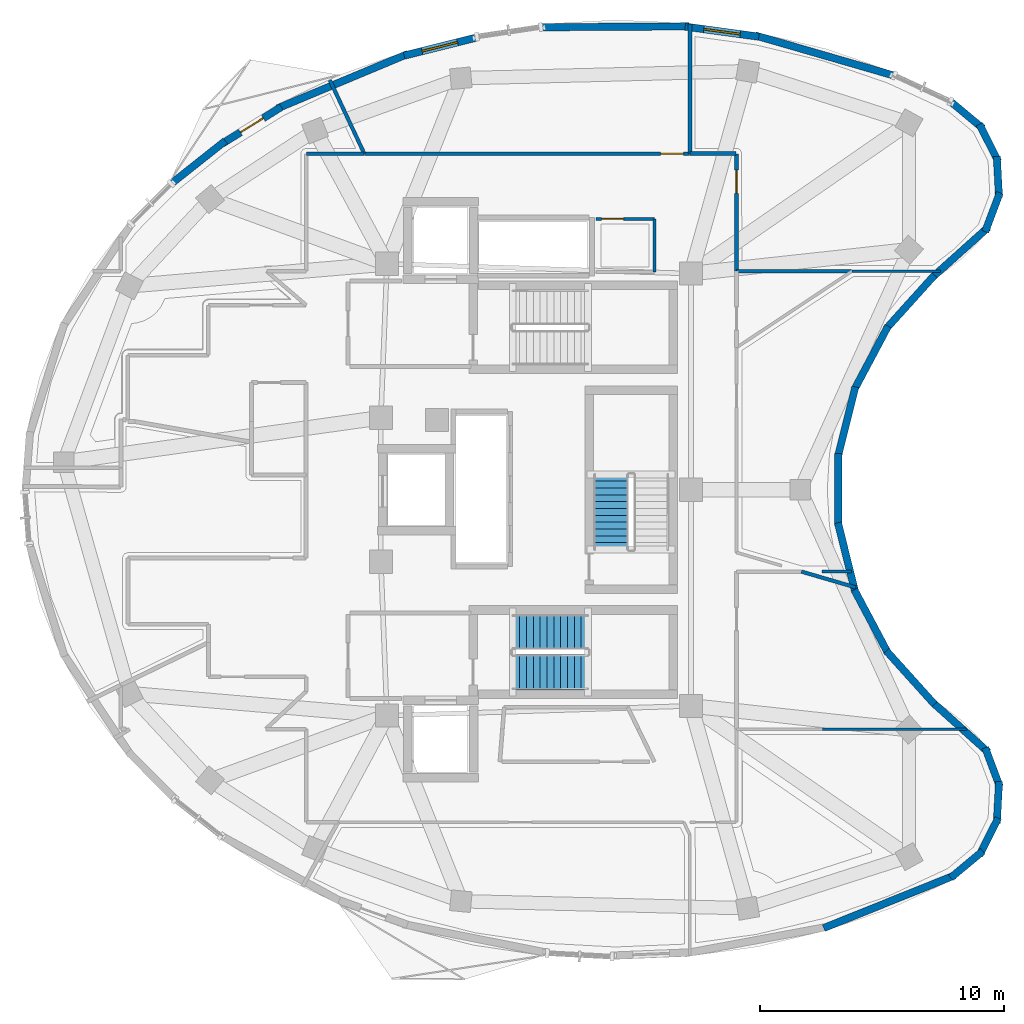
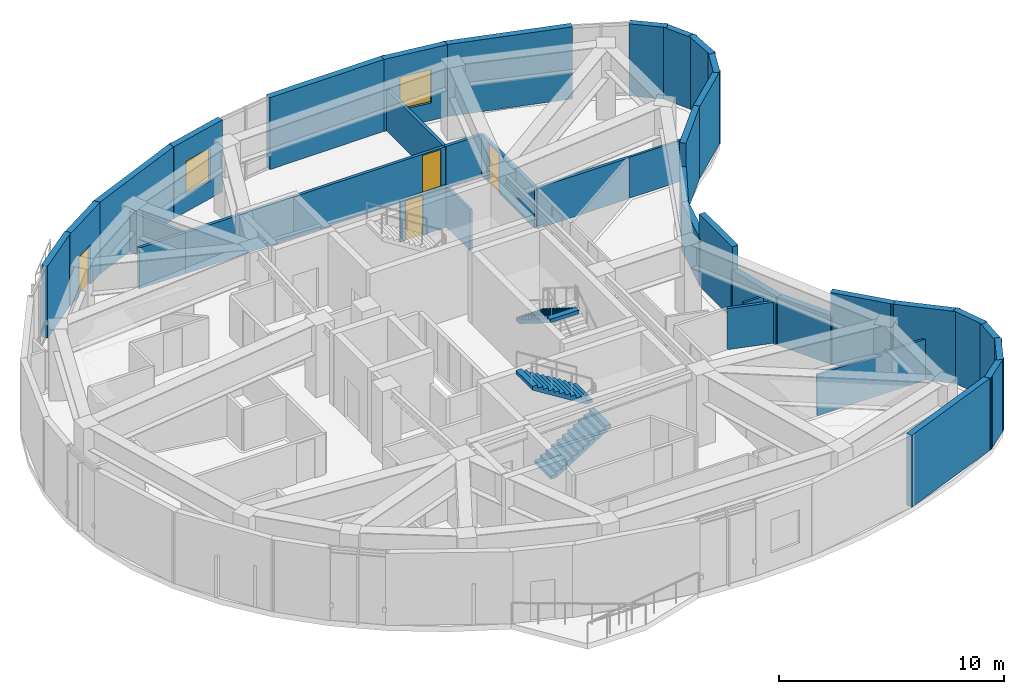
# One storey, part 8 of 12: 38 walls, 4 doors, 3 stair flights, 2 windows, 6 openings, 2 elements without a shape of their own.
"""IFC4 building model written with IfcOpenShell, lengths in metres."""

import ifcopenshell
import ifcopenshell.guid

model = None  # the IFC model being written
_history = None  # IfcOwnerHistory: only IFC2X3 demands one
_inside = {}  # id of a spatial element -> (the spatial element, [elements in it])
_under = {}  # id of a project, library or spatial element -> (it, [spatial elements below it])
_declared = {}  # id of a project -> (the project, [libraries it declares])
_typed = {}  # id of a type object -> (the type object, [elements of that type])
_made_of = {}  # id of a material, layer set ... -> (it, [elements and type objects made of it])


def new_model(schema):
    """Start an empty IFC model of exactly this schema.

    Asked for "IFC4X3", IfcOpenShell would pick the latest addendum, in which some entities
    have other attributes; the version numbers below select the first issue.
    IFC2X3 requires an IfcOwnerHistory on every rooted entity: one is made here for all.
    """
    global model, _history
    if schema == "IFC4X3":
        model = ifcopenshell.file(schema_version=(4, 3, 0, 0))
    else:
        model = ifcopenshell.file(schema=schema)
    _inside.clear()
    _under.clear()
    _declared.clear()
    _typed.clear()
    _made_of.clear()
    _history = None
    if model.schema == "IFC2X3":
        org = make("IfcOrganization", Name="unknown")
        user = make(
            "IfcPersonAndOrganization",
            ThePerson=make("IfcPerson", FamilyName="unknown"),
            TheOrganization=org,
        )
        app = make(
            "IfcApplication",
            ApplicationDeveloper=org,
            Version="unknown",
            ApplicationFullName="unknown",
            ApplicationIdentifier="unknown",
        )
        _history = make(
            "IfcOwnerHistory",
            OwningUser=user,
            OwningApplication=app,
            ChangeAction="ADDED",
            CreationDate=0,
        )
    return model


def make(cls, **values):
    """One entity of the class cls with the attributes given. An attribute that is None is left unset."""
    return model.create_entity(
        cls, **{name: value for name, value in values.items() if value is not None}
    )


def rooted(cls, **values):
    """An entity with a GlobalId (a new one), such as an element, a storey or a relation."""
    return make(cls, GlobalId=ifcopenshell.guid.new(), OwnerHistory=_history, **values)


def si_unit(unit_type, name, prefix=None):
    """IfcSIUnit, for example si_unit("LENGTHUNIT", "METRE", prefix="MILLI")."""
    return make("IfcSIUnit", UnitType=unit_type, Prefix=prefix, Name=name)


def assignment(units):
    """IfcUnitAssignment: the units of a project."""
    return None if units is None else make("IfcUnitAssignment", Units=units)


def point(xyz):
    """IfcCartesianPoint."""
    return None if xyz is None else make("IfcCartesianPoint", Coordinates=xyz)


def direction(xyz):
    """IfcDirection."""
    return None if xyz is None else make("IfcDirection", DirectionRatios=xyz)


def frame(location, z_axis=None, x_axis=None):
    """IfcAxis2Placement3D, a coordinate frame: its origin and axes. An axis left out is left unset."""
    return make(
        "IfcAxis2Placement3D",
        Location=point(location),
        Axis=direction(z_axis),
        RefDirection=direction(x_axis),
    )


def frame_2d(location, x_axis=None):
    """IfcAxis2Placement2D, a coordinate frame in the plane: its origin and x axis."""
    return make(
        "IfcAxis2Placement2D", Location=point(location), RefDirection=direction(x_axis)
    )


def origin():
    """The frame at (0, 0, 0) with its axes left unset."""
    return frame((0.0, 0.0, 0.0))


def place(relative_to, where):
    """IfcLocalPlacement: puts the frame where relative to a parent placement (None: the world)."""
    return make(
        "IfcLocalPlacement", PlacementRelTo=relative_to, RelativePlacement=where
    )


def context(
    kind, dimensions, precision=None, world=None, true_north=None, identifier=None
):
    """IfcGeometricRepresentationContext, for example the 3D "Model" context."""
    return make(
        "IfcGeometricRepresentationContext",
        ContextIdentifier=identifier,
        ContextType=kind,
        CoordinateSpaceDimension=dimensions,
        Precision=precision,
        WorldCoordinateSystem=world,
        TrueNorth=true_north,
    )


def subcontext(parent, identifier, kind, view, scale=None):
    """IfcGeometricRepresentationSubContext, for example "Body" below "Model"."""
    return make(
        "IfcGeometricRepresentationSubContext",
        ContextIdentifier=identifier,
        ContextType=kind,
        ParentContext=parent,
        TargetScale=scale,
        TargetView=view,
    )


def project(units=None, contexts=None):
    """IfcProject with its units and contexts."""
    return rooted(
        "IfcProject",
        Name="project",
        RepresentationContexts=contexts,
        UnitsInContext=assignment(units),
    )


def spatial(cls, under=None, at=None, **own):
    """A site, building, storey or space (cls), placed at a placement, below another one or the project."""
    s = rooted(cls, ObjectPlacement=at, **own)
    if under is not None:
        _under.setdefault(under.id(), (under, []))[1].append(s)
    return s


def polyline(points):
    """IfcPolyline through the points."""
    return make("IfcPolyline", Points=[point(p) for p in points])


def profile(cls, at=None, kind="AREA", **sizes):
    """A parametric profile (cls). Its sizes go by their IFC names, for example OverallWidth=200.0."""
    return make(cls, ProfileType=kind, Position=at, **sizes)


def rectangle(**sizes):
    """IfcRectangleProfileDef."""
    return profile("IfcRectangleProfileDef", **sizes)


def outline(outer, holes=None, kind="AREA"):
    """IfcArbitraryClosedProfileDef: a profile drawn as a closed curve; with holes, ...WithVoids."""
    if holes is None:
        return make("IfcArbitraryClosedProfileDef", ProfileType=kind, OuterCurve=outer)
    return make(
        "IfcArbitraryProfileDefWithVoids",
        ProfileType=kind,
        OuterCurve=outer,
        InnerCurves=holes,
    )


def extrude(swept, where, along, depth):
    """IfcExtrudedAreaSolid: the profile swept, set in the frame where, extruded along a direction by depth."""
    return make(
        "IfcExtrudedAreaSolid",
        SweptArea=swept,
        Position=where,
        ExtrudedDirection=direction(along),
        Depth=depth,
    )


def shape(context_of_items, identifier, shape_type, items):
    """IfcShapeRepresentation: the items that make up one representation, for example the "Body"."""
    return make(
        "IfcShapeRepresentation",
        ContextOfItems=context_of_items,
        RepresentationIdentifier=identifier,
        RepresentationType=shape_type,
        Items=items,
    )


def material(Name=None, Category=None):
    """IfcMaterial."""
    return make("IfcMaterial", Name=Name, Category=Category)


def layer(
    of_material, thickness, ventilated=None, Name=None, Category=None, Priority=None
):
    """IfcMaterialLayer: one layer of a wall or slab, of a material (None: an air gap)."""
    return make(
        "IfcMaterialLayer",
        Material=of_material,
        LayerThickness=thickness,
        IsVentilated=ventilated,
        Name=Name,
        Category=Category,
        Priority=Priority,
    )


def layer_set(layers, Name=None):
    """IfcMaterialLayerSet."""
    return make("IfcMaterialLayerSet", MaterialLayers=layers, LayerSetName=Name)


def made_of(thing, what):
    """Note that an element or type object is made of a material, layer set ...; save() writes the relation."""
    if what is not None:
        _made_of.setdefault(what.id(), (what, []))[1].append(thing)
    return thing


def type_object(cls, material=None, **own):
    """A type object (cls), such as IfcWallType, which elements share."""
    return made_of(rooted(cls, **own), material)


def element(
    cls,
    number,
    at=None,
    inside=None,
    cuts=None,
    type_object=None,
    material=None,
    context=None,
    identifier="Body",
    shape_type=None,
    held_by="IfcProductDefinitionShape",
    body=None,
    shapes=None,
    **own,
):
    """One element of the class cls, such as IfcWall. Its Tag is "e" and its number.

    at: its placement. inside: the storey or other place that contains it. cuts: it is an
    opening in that element (IfcRelVoidsElement). A single representation is given by context,
    identifier, shape_type and body (its items); several are given by shapes. held_by: the class
    of the entity that holds the representations. save() writes the other relations.
    """
    e = rooted(cls, Tag="e%d" % number, ObjectPlacement=at, **own)
    if body is not None:
        shapes = [shape(context, identifier, shape_type, body)]
    if shapes is not None:
        e.Representation = make(held_by, Representations=shapes)
    if inside is not None:
        _inside.setdefault(inside.id(), (inside, []))[1].append(e)
    if cuts is not None:
        rooted(
            "IfcRelVoidsElement", RelatingBuildingElement=cuts, RelatedOpeningElement=e
        )
    if type_object is not None:
        _typed.setdefault(type_object.id(), (type_object, []))[1].append(e)
    return made_of(e, material)


def fill(opening, filler):
    """IfcRelFillsElement: the door or window that sits in an opening."""
    return rooted(
        "IfcRelFillsElement",
        RelatingOpeningElement=opening,
        RelatedBuildingElement=filler,
    )


def aggregate(whole, parts):
    """IfcRelAggregates: a whole, such as a stair, and the parts it consists of."""
    return rooted("IfcRelAggregates", RelatingObject=whole, RelatedObjects=parts)


def save(model, path):
    """Write the relations noted so far, then the file.

    IfcRelAggregates (storeys below a building ...), IfcRelContainedInSpatialStructure (elements
    in a storey), IfcRelDefinesByType, IfcRelAssociatesMaterial and IfcRelDeclares: one each for
    every whole, place, type object, material and project.
    """
    for whole, parts in _under.values():
        aggregate(whole, parts)
    for where, things in _inside.values():
        rooted(
            "IfcRelContainedInSpatialStructure",
            RelatedElements=things,
            RelatingStructure=where,
        )
    for kind, things in _typed.values():
        rooted("IfcRelDefinesByType", RelatedObjects=things, RelatingType=kind)
    for what, things in _made_of.values():
        rooted("IfcRelAssociatesMaterial", RelatedObjects=things, RelatingMaterial=what)
    for by, libraries in _declared.values():
        rooted("IfcRelDeclares", RelatingContext=by, RelatedDefinitions=libraries)
    model.write(path)


model = new_model("IFC4")

# Units and contexts
model_context = context("Model", 3, precision=1e-05, world=origin(), true_north=direction((0.0, 1.0)))
body_context = subcontext(model_context, "Body", "Model", "MODEL_VIEW")
ifc_project = project(units=[si_unit("LENGTHUNIT", "METRE"), si_unit("AREAUNIT", "SQUARE_METRE"), si_unit("VOLUMEUNIT", "CUBIC_METRE"), si_unit("PLANEANGLEUNIT", "RADIAN"), si_unit("MASSUNIT", "GRAM", prefix="KILO")], contexts=[model_context])

# Site, building, storey
site_placement = place(None, origin())
site = spatial("IfcSite", under=ifc_project, at=site_placement, CompositionType="ELEMENT")
building_placement = place(site_placement, origin())
building = spatial("IfcBuilding", under=site, at=building_placement, Name="Korentha Bioscience Tower", CompositionType="ELEMENT")
storey_placement = place(building_placement, frame((0.0, 0.0, 297.60009765625)))
storey = spatial("IfcBuildingStorey", under=building, at=storey_placement, Name="L68", CompositionType="ELEMENT", Elevation=297.60009765625)

# Wall, opening, door
ifc_material_1 = material(Name="Double-Stud Acoustic Gypsum", Category="gypsum")
ifc_layer_1 = layer(ifc_material_1, 0.14990234375, Name="Double-Stud Acoustic Gypsum")
ifc_layer_set_1 = layer_set([ifc_layer_1], Name="Double-Stud Acoustic Gypsum (IW-L150)")
wall_type_1 = type_object("IfcWallType", Name="Acoustic Laboratory Partition Wall 150", PredefinedType="PARTITIONING", material=ifc_layer_set_1)
wall_1_placement = place(storey_placement, frame((37.491943359375, 40.760009765625, 0.0), z_axis=(0.0, 0.0, 1.0), x_axis=(-1.0, 0.0, 0.0)))
wall_1 = element("IfcWall", 1, at=wall_1_placement, inside=storey, type_object=wall_type_1, Name="L68 Wet Genomics Sequencing Laboratory 10 Entrance Wall", PredefinedType="PARTITIONING", context=body_context, shape_type="SweptSolid", body=[
    extrude(rectangle(XDim=13.31982421875, YDim=0.14990234375, at=frame_2d((6.659912109375, 0.0))), origin(), (0.0, 0.0, 1.0), 2.219970703125),
])
opening_1_placement = place(wall_1_placement, frame((0.239990234375, 0.0, 0.0)))
opening_1 = element("IfcOpeningElement", 2, at=opening_1_placement, cuts=wall_1, Name="Opening ID-10R", PredefinedType="OPENING", context=body_context, shape_type="SweptSolid", body=[
    extrude(rectangle(XDim=0.949951171875, YDim=2.14990234375, at=frame_2d((0.47509765625, 1.074951171875))), frame((0.0, 0.08984375, 0.0), z_axis=(0.0, -1.0, 0.0), x_axis=(1.0, 0.0, 0.0)), (0.0, 0.0, 1.0), 0.1796875),
])
ifc_material_2 = material(Name="Phenolic Laminate Timber Core", Category="wood")
door_type_1 = type_object("IfcDoorType", Name="Laboratory Single Leaf Door 950x2150 Right", OperationType="SINGLE_SWING_RIGHT", PredefinedType="DOOR", material=ifc_material_2)
door_1_placement = place(opening_1_placement, origin())
door_1 = element("IfcDoor", 3, at=door_1_placement, inside=storey, type_object=door_type_1, Name="L68 Wet Genomics Sequencing Laboratory 10 Door", OperationType="SINGLE_SWING_RIGHT", OverallHeight=2.14990234375, OverallWidth=0.949951171875, PredefinedType="DOOR", context=body_context, shape_type="SweptSolid", body=[
    extrude(rectangle(XDim=0.949951171875, YDim=2.14990234375, at=frame_2d((0.47509765625, 1.074951171875))), frame((0.0, 0.02490234375, 0.0), z_axis=(0.0, -1.0, 0.0), x_axis=(1.0, 0.0, 0.0)), (0.0, 0.0, 1.0), 0.050048828125),
])
fill(opening_1, door_1)

# Walls
wall_2_placement = place(storey_placement, frame((42.0712890625, 23.64794921875, 0.0), z_axis=(0.0, 0.0, 1.0), x_axis=(0.959821798474, -0.280610254933, 0.0)))
element("IfcWall", 4, at=wall_2_placement, inside=storey, type_object=wall_type_1, Name="L68 Interior Partition 052", PredefinedType="PARTITIONING", context=body_context, shape_type="SweptSolid", body=[
    extrude(rectangle(XDim=2.319580078125, YDim=0.14990234375, at=frame_2d((1.15966796875, 0.0))), origin(), (0.0, 0.0, 1.0), 2.219970703125),
])
wall_3_placement = place(storey_placement, frame((39.409912109375, 35.947998046875, 0.0), z_axis=(0.0, 0.0, 1.0), x_axis=(1.0, 0.0, 0.0)))
element("IfcWall", 5, at=wall_3_placement, inside=storey, type_object=wall_type_1, Name="L68 Interior Partition 058", PredefinedType="PARTITIONING", context=body_context, shape_type="SweptSolid", body=[
    extrude(rectangle(XDim=4.710205078125, YDim=0.14990234375, at=frame_2d((2.35498046875, 0.0))), origin(), (0.0, 0.0, 1.0), 2.219970703125),
])
wall_4_placement = place(storey_placement, frame((24.172119140625, 40.760009765625, 0.0), z_axis=(0.0, 0.0, 1.0), x_axis=(-0.424210216615, 0.905563742714, 0.0)))
element("IfcWall", 6, at=wall_4_placement, inside=storey, type_object=wall_type_1, Name="L68 Interior Partition 061", PredefinedType="PARTITIONING", context=body_context, shape_type="SweptSolid", body=[
    extrude(rectangle(XDim=3.328125, YDim=0.14990234375, at=frame_2d((1.6640625, 0.0))), origin(), (0.0, 0.0, 1.0), 2.219970703125),
])
ifc_material_3 = material(Name="Insulated Aluminium Honeycomb Panel", Category="aluminium")
ifc_layer_2 = layer(ifc_material_3, 0.139892578125, Name="Insulated Aluminium Honeycomb Panel")
ifc_layer_set_2 = layer_set([ifc_layer_2], Name="Insulated Aluminium Honeycomb Panel (IW-F60)")
wall_type_2 = type_object("IfcWallType", Name="Cleanroom Flush Metal Panel Partition 140", PredefinedType="PARTITIONING", material=ifc_layer_set_2)
wall_5_placement = place(storey_placement, frame((24.160888671875, 40.760009765625, 0.0), z_axis=(0.0, 0.0, 1.0), x_axis=(-1.0, 0.0, 0.0)))
element("IfcWall", 7, at=wall_5_placement, inside=storey, type_object=wall_type_2, Name="L68 Interior Partition 064", PredefinedType="PARTITIONING", context=body_context, shape_type="SweptSolid", body=[
    extrude(rectangle(XDim=2.36083984375, YDim=0.139892578125, at=frame_2d((1.180419921875, 0.0))), origin(), (0.0, 0.0, 1.0), 2.219970703125),
])
ifc_material_4 = material(Name="Fire-Rated Framed Glass", Category="glass")
ifc_layer_3 = layer(ifc_material_4, 0.110107421875, Name="Fire-Rated Framed Glass")
ifc_layer_set_3 = layer_set([ifc_layer_3], Name="Fire-Rated Framed Glass (IW-G110)")
wall_type_3 = type_object("IfcWallType", Name="Demountable Glazed Office Partition 110", PredefinedType="MOVABLE", material=ifc_layer_set_3)
wall_6_placement = place(storey_placement, frame((42.941650390625, 17.197998046875, 0.0), z_axis=(0.0, 0.0, 1.0), x_axis=(1.0, 0.0, 0.0)))
element("IfcWall", 8, at=wall_6_placement, inside=storey, type_object=wall_type_3, Name="L68 Interior Partition 051", PredefinedType="MOVABLE", context=body_context, shape_type="SweptSolid", body=[
    extrude(rectangle(XDim=5.912841796875, YDim=0.110107421875, at=frame_2d((2.95654296875, 0.0))), origin(), (0.0, 0.0, 1.0), 2.219970703125),
])
wall_7_placement = place(storey_placement, frame((44.13818359375, 35.947998046875, 0.0), z_axis=(0.0, 0.0, 1.0), x_axis=(1.0, 0.0, 0.0)))
element("IfcWall", 9, at=wall_7_placement, inside=storey, type_object=wall_type_3, Name="L68 Interior Partition 054", PredefinedType="MOVABLE", context=body_context, shape_type="SweptSolid", body=[
    extrude(rectangle(XDim=3.636962890625, YDim=0.110107421875, at=frame_2d((1.818359375, 0.0))), origin(), (0.0, 0.0, 1.0), 2.219970703125),
])
wall_8_placement = place(storey_placement, frame((44.1259765625, 23.652099609375, 0.0), z_axis=(0.0, 0.0, 1.0), x_axis=(-1.0, 0.0, 0.0)))
element("IfcWall", 10, at=wall_8_placement, inside=storey, type_object=wall_type_3, Name="L68 Interior Partition 055", PredefinedType="MOVABLE", context=body_context, shape_type="SweptSolid", body=[
    extrude(rectangle(XDim=1.213134765625, YDim=0.110107421875, at=frame_2d((0.6064453125, 0.0))), origin(), (0.0, 0.0, 1.0), 2.219970703125),
])

# Wall, opening, door
ifc_material_5 = material(Name="Gypsum-Clad Steel Stud", Category="steel")
ifc_layer_4 = layer(ifc_material_5, 0.159912109375, Name="Gypsum-Clad Steel Stud")
ifc_layer_set_4 = layer_set([ifc_layer_4], Name="Gypsum-Clad Steel Stud (IW-C160)")
wall_type_4 = type_object("IfcWallType", Name="Fire-Rated Corridor Partition Wall 160", PredefinedType="PARTITIONING", material=ifc_layer_set_4)
wall_9_placement = place(storey_placement, frame((39.409912109375, 35.9580078125, 0.0), z_axis=(0.0, 0.0, 1.0), x_axis=(0.0, 1.0, 0.0)))
wall_9 = element("IfcWall", 11, at=wall_9_placement, inside=storey, type_object=wall_type_4, Name="L68 Biosafety Equipment Store 09 Entrance Wall", PredefinedType="PARTITIONING", context=body_context, shape_type="SweptSolid", body=[
    extrude(rectangle(XDim=4.7919921875, YDim=0.159912109375, at=frame_2d((2.39599609375, 0.0))), origin(), (0.0, 0.0, 1.0), 2.219970703125),
])
opening_2_placement = place(wall_9_placement, frame((3.180419921875, 0.0, 0.0)))
opening_2 = element("IfcOpeningElement", 12, at=opening_2_placement, cuts=wall_9, Name="Opening ID-10L", PredefinedType="OPENING", context=body_context, shape_type="SweptSolid", body=[
    extrude(rectangle(XDim=0.949951171875, YDim=2.14990234375, at=frame_2d((0.47509765625, 1.074951171875))), frame((0.0, 0.0947265625, 0.0), z_axis=(0.0, -1.0, 0.0), x_axis=(1.0, 0.0, 0.0)), (0.0, 0.0, 1.0), 0.189697265625),
])
door_type_2 = type_object("IfcDoorType", Name="Laboratory Single Leaf Door 950x2150 Left", OperationType="SINGLE_SWING_LEFT", PredefinedType="DOOR", material=ifc_material_2)
door_2_placement = place(opening_2_placement, origin())
door_2 = element("IfcDoor", 13, at=door_2_placement, inside=storey, type_object=door_type_2, Name="L68 Biosafety Equipment Store 09 Door", OperationType="SINGLE_SWING_LEFT", OverallHeight=2.14990234375, OverallWidth=0.949951171875, PredefinedType="DOOR", context=body_context, shape_type="SweptSolid", body=[
    extrude(rectangle(XDim=0.949951171875, YDim=2.14990234375, at=frame_2d((0.47509765625, 1.074951171875))), frame((0.0, 0.02490234375, 0.0), z_axis=(0.0, -1.0, 0.0), x_axis=(1.0, 0.0, 0.0)), (0.0, 0.0, 1.0), 0.050048828125),
])
fill(opening_2, door_2)

# Walls
wall_10_placement = place(storey_placement, frame((39.39990234375, 40.760009765625, 0.0), z_axis=(0.0, 0.0, 1.0), x_axis=(-1.0, 0.0, 0.0)))
element("IfcWall", 14, at=wall_10_placement, inside=storey, type_object=wall_type_4, Name="L68 Interior Partition 059", PredefinedType="PARTITIONING", context=body_context, shape_type="SweptSolid", body=[
    extrude(rectangle(XDim=1.89794921875, YDim=0.159912109375, at=frame_2d((0.948974609375, 0.0))), origin(), (0.0, 0.0, 1.0), 2.219970703125),
])
wall_11_placement = place(storey_placement, frame((37.501953125, 40.760009765625, 0.0), z_axis=(0.0, 0.0, 1.0), x_axis=(0.0, 1.0, 0.0)))
element("IfcWall", 15, at=wall_11_placement, inside=storey, type_object=wall_type_4, Name="L68 Interior Partition 060", PredefinedType="PARTITIONING", context=body_context, shape_type="SweptSolid", body=[
    extrude(rectangle(XDim=5.314697265625, YDim=0.159912109375, at=frame_2d((2.6572265625, 0.0))), origin(), (0.0, 0.0, 1.0), 2.219970703125),
])

# Wall, opening, window
ifc_material_6 = material(Name="Honed Limestone Precast Concrete C40", Category="masonry")
ifc_layer_5 = layer(ifc_material_6, 0.300048828125, Name="Honed Limestone Precast Concrete C40")
ifc_layer_set_5 = layer_set([ifc_layer_5], Name="Honed Limestone Precast Concrete C40 (EW-ST300)")
wall_type_5 = type_object("IfcWallType", Name="Honed Limestone Cavity Spandrel Wall 300", PredefinedType="STANDARD", material=ifc_layer_set_5)
wall_12_placement = place(storey_placement, frame((40.32861328125, 45.548828125, 0.0), z_axis=(0.0, 0.0, 1.0), x_axis=(-0.990747543086, 0.135717743381, 0.0)))
wall_12 = element("IfcWall", 16, at=wall_12_placement, inside=storey, type_object=wall_type_5, Name="L68 Honed Limestone Spandrel Wall 04", PredefinedType="STANDARD", context=body_context, shape_type="SweptSolid", body=[
    extrude(rectangle(XDim=3.04541015625, YDim=0.300048828125, at=frame_2d((1.522705078125, 0.0))), origin(), (0.0, 0.0, 1.0), 3.89990234375),
])
opening_3_placement = place(wall_12_placement, frame((0.772705078125, 0.0, 0.949951171875)))
opening_3 = element("IfcOpeningElement", 17, at=opening_3_placement, cuts=wall_12, Name="Opening WN-02", PredefinedType="OPENING", context=body_context, shape_type="SweptSolid", body=[
    extrude(rectangle(XDim=1.5, YDim=1.800048828125, at=frame_2d((0.75, 0.89990234375))), frame((0.0, 0.1650390625, 0.0), z_axis=(0.0, -1.0, 0.0), x_axis=(1.0, 0.0, 0.0)), (0.0, 0.0, 1.0), 0.329833984375),
])
ifc_material_7 = material(Name="Thermally Broken Aluminium Triple Glazing", Category="aluminium")
window_type = type_object("IfcWindowType", Name="Acoustic Operable Office Window 1500x1800", PartitioningType="DOUBLE_PANEL_VERTICAL", PredefinedType="WINDOW", material=ifc_material_7)
window_1_placement = place(opening_3_placement, origin())
window_1 = element("IfcWindow", 18, at=window_1_placement, inside=storey, type_object=window_type, Name="L68 Facade Window 04", OverallHeight=1.800048828125, OverallWidth=1.5, PartitioningType="DOUBLE_PANEL_VERTICAL", PredefinedType="WINDOW", context=body_context, shape_type="SweptSolid", body=[
    extrude(rectangle(XDim=1.5, YDim=1.800048828125, at=frame_2d((0.75, 0.89990234375))), frame((0.0, 0.030029296875, 0.0), z_axis=(0.0, -1.0, 0.0), x_axis=(1.0, 0.0, 0.0)), (0.0, 0.0, 1.0), 0.06005859375),
])
fill(opening_3, window_1)

wall_13_placement = place(storey_placement, frame((28.72509765625, 45.50390625, 0.0), z_axis=(0.0, 0.0, 1.0), x_axis=(-0.970080437625, -0.242783740264, 0.0)))
wall_13 = element("IfcWall", 19, at=wall_13_placement, inside=storey, type_object=wall_type_5, Name="L68 Honed Limestone Spandrel Wall 08", PredefinedType="STANDARD", context=body_context, shape_type="SweptSolid", body=[
    extrude(rectangle(XDim=3.009765625, YDim=0.300048828125, at=frame_2d((1.5048828125, 0.0))), origin(), (0.0, 0.0, 1.0), 3.89990234375),
])
opening_4_placement = place(wall_13_placement, frame((0.7548828125, 0.0, 0.949951171875)))
opening_4 = element("IfcOpeningElement", 20, at=opening_4_placement, cuts=wall_13, Name="Opening WN-02", PredefinedType="OPENING", context=body_context, shape_type="SweptSolid", body=[
    extrude(rectangle(XDim=1.5, YDim=1.800048828125, at=frame_2d((0.75, 0.89990234375))), frame((0.0, 0.1650390625, 0.0), z_axis=(0.0, -1.0, 0.0), x_axis=(1.0, 0.0, 0.0)), (0.0, 0.0, 1.0), 0.329833984375),
])
window_2_placement = place(opening_4_placement, origin())
window_2 = element("IfcWindow", 21, at=window_2_placement, inside=storey, type_object=window_type, Name="L68 Facade Window 08", OverallHeight=1.800048828125, OverallWidth=1.5, PartitioningType="DOUBLE_PANEL_VERTICAL", PredefinedType="WINDOW", context=body_context, shape_type="SweptSolid", body=[
    extrude(rectangle(XDim=1.5, YDim=1.800048828125, at=frame_2d((0.75, 0.89990234375))), frame((0.0, 0.030029296875, 0.0), z_axis=(0.0, -1.0, 0.0), x_axis=(1.0, 0.0, 0.0)), (0.0, 0.0, 1.0), 0.06005859375),
])
fill(opening_4, window_2)

# Wall, opening, door
wall_14_placement = place(storey_placement, frame((20.773681640625, 42.672607421875, 0.0), z_axis=(0.0, 0.0, 1.0), x_axis=(-0.84947923869, -0.52762204563, 0.0)))
wall_14 = element("IfcWall", 22, at=wall_14_placement, inside=storey, type_object=wall_type_5, Name="L68 Balcony Threshold Wall 01", PredefinedType="STANDARD", context=body_context, shape_type="SweptSolid", body=[
    extrude(rectangle(XDim=2.8369140625, YDim=0.300048828125, at=frame_2d((1.41845703125, 0.0))), origin(), (0.0, 0.0, 1.0), 3.89990234375),
])
opening_5_placement = place(wall_14_placement, frame((0.868408203125, 0.0, 0.0)))
opening_5 = element("IfcOpeningElement", 23, at=opening_5_placement, cuts=wall_14, Name="Opening BD-11L", PredefinedType="OPENING", context=body_context, shape_type="SweptSolid", body=[
    extrude(rectangle(XDim=1.10009765625, YDim=2.14990234375, at=frame_2d((0.550048828125, 1.074951171875))), frame((0.0, 0.1650390625, 0.0), z_axis=(0.0, -1.0, 0.0), x_axis=(1.0, 0.0, 0.0)), (0.0, 0.0, 1.0), 0.329833984375),
])
ifc_material_8 = material(Name="Thermally Broken Glazed Aluminium", Category="aluminium")
door_type_3 = type_object("IfcDoorType", Name="Balcony Terrace Glazed Door 1100x2150 Left", OperationType="SINGLE_SWING_LEFT", PredefinedType="DOOR", material=ifc_material_8)
door_3_placement = place(opening_5_placement, origin())
door_3 = element("IfcDoor", 24, at=door_3_placement, inside=storey, type_object=door_type_3, Name="L68 Balcony Access Door 01", OperationType="SINGLE_SWING_LEFT", OverallHeight=2.14990234375, OverallWidth=1.10009765625, PredefinedType="DOOR", context=body_context, shape_type="SweptSolid", body=[
    extrude(rectangle(XDim=1.10009765625, YDim=2.14990234375, at=frame_2d((0.550048828125, 1.074951171875))), frame((0.0, 0.02490234375, 0.0), z_axis=(0.0, -1.0, 0.0), x_axis=(1.0, 0.0, 0.0)), (0.0, 0.0, 1.0), 0.050048828125),
])
fill(opening_5, door_3)

# Walls
wall_15_placement = place(storey_placement, frame((45.840576171875, 43.964111328125, 0.0), z_axis=(0.0, 0.0, 1.0), x_axis=(-0.960603242608, 0.277923389247, 0.0)))
element("IfcWall", 25, at=wall_15_placement, inside=storey, type_object=wall_type_5, Name="L68 Limestone Perimeter Closure Wall 02", PredefinedType="STANDARD", context=body_context, shape_type="SweptSolid", body=[
    extrude(rectangle(XDim=5.89794921875, YDim=0.300048828125, at=frame_2d((2.948974609375, 0.0))), origin(), (0.0, 0.0, 1.0), 3.89990234375),
])
wall_16_placement = place(storey_placement, frame((37.47314453125, 45.972900390625, 0.0), z_axis=(0.0, 0.0, 1.0), x_axis=(-0.999981581492, -0.006069322539, 0.0)))
element("IfcWall", 26, at=wall_16_placement, inside=storey, type_object=wall_type_5, Name="L68 Limestone Perimeter Closure Wall 05", PredefinedType="STANDARD", context=body_context, shape_type="SweptSolid", body=[
    extrude(rectangle(XDim=6.03369140625, YDim=0.300048828125, at=frame_2d((3.016845703125, 0.0))), origin(), (0.0, 0.0, 1.0), 3.89990234375),
])
wall_17_placement = place(storey_placement, frame((25.952392578125, 44.8447265625, 0.0), z_axis=(0.0, 0.0, 1.0), x_axis=(-0.922751708641, -0.385394971684, 0.0)))
element("IfcWall", 27, at=wall_17_placement, inside=storey, type_object=wall_type_5, Name="L68 Limestone Perimeter Closure Wall 09", PredefinedType="STANDARD", context=body_context, shape_type="SweptSolid", body=[
    extrude(rectangle(XDim=5.780517578125, YDim=0.300048828125, at=frame_2d((2.89013671875, 0.0))), origin(), (0.0, 0.0, 1.0), 3.89990234375),
])
wall_18_placement = place(storey_placement, frame((18.47998046875, 41.283447265625, 0.0), z_axis=(0.0, 0.0, 1.0), x_axis=(-0.784028163495, -0.620725252303, 0.0)))
element("IfcWall", 28, at=wall_18_placement, inside=storey, type_object=wall_type_5, Name="L68 Limestone Perimeter Closure Wall 12", PredefinedType="STANDARD", context=body_context, shape_type="SweptSolid", body=[
    extrude(rectangle(XDim=2.80322265625, YDim=0.300048828125, at=frame_2d((1.401611328125, 0.0))), origin(), (0.0, 0.0, 1.0), 3.89990234375),
])
wall_19_placement = place(storey_placement, frame((42.9814453125, 9.051513671875, 0.0), z_axis=(0.0, 0.0, 1.0), x_axis=(0.927771967192, 0.373147660978, 0.0)))
element("IfcWall", 29, at=wall_19_placement, inside=storey, type_object=wall_type_5, Name="L68 Limestone Perimeter Closure Wall 35", PredefinedType="STANDARD", context=body_context, shape_type="SweptSolid", body=[
    extrude(rectangle(XDim=5.795654296875, YDim=0.300048828125, at=frame_2d((2.89794921875, 0.0))), origin(), (0.0, 0.0, 1.0), 3.89990234375),
])
for number, where, z_axis, x_axis, name in (
    (30, (48.185302734375, 11.11083984375, 0.0), (0.0, 0.0, 1.0), (0.769148122421, 0.639070548356, 0.0), "L68 Limestone Perimeter Closure Wall 37"),
    (31, (49.363037109375, 12.032470703125, 0.0), (0.0, 0.0, 1.0), (0.44870292085, 0.893680977095, 0.0), "L68 Limestone Perimeter Closure Wall 38"),
):
    element("IfcWall", number, at=place(storey_placement, frame(where, z_axis=z_axis, x_axis=x_axis)), inside=storey, type_object=wall_type_5, Name=name, PredefinedType="STANDARD", context=body_context, shape_type="SweptSolid", body=[
        extrude(rectangle(XDim=1.7041015625, YDim=0.300048828125, at=frame_2d((0.85205078125, 0.0))), origin(), (0.0, 0.0, 1.0), 3.89990234375),
    ])
for number, where, z_axis, x_axis, name in (
    (32, (50.07275390625, 13.3486328125, 0.0), (0.0, 0.0, 1.0), (0.053145273218, 0.998586791388, 0.0), "L68 Limestone Perimeter Closure Wall 39"),
    (33, (50.19580078125, 14.839111328125, 0.0), (0.0, 0.0, 1.0), (-0.351374594418, 0.936234956834, 0.0), "L68 Limestone Perimeter Closure Wall 40"),
):
    element("IfcWall", number, at=place(storey_placement, frame(where, z_axis=z_axis, x_axis=x_axis)), inside=storey, type_object=wall_type_5, Name=name, PredefinedType="STANDARD", context=body_context, shape_type="SweptSolid", body=[
        extrude(rectangle(XDim=1.704345703125, YDim=0.300048828125, at=frame_2d((0.85205078125, 0.0))), origin(), (0.0, 0.0, 1.0), 3.89990234375),
    ])
wall_20_placement = place(storey_placement, frame((49.722412109375, 16.251220703125, 0.0), z_axis=(0.0, 0.0, 1.0), x_axis=(-0.744720921046, 0.667376018266, 0.0)))
element("IfcWall", 34, at=wall_20_placement, inside=storey, type_object=wall_type_5, Name="L68 Limestone Perimeter Closure Wall 41", PredefinedType="STANDARD", context=body_context, shape_type="SweptSolid", body=[
    extrude(rectangle(XDim=3.093505859375, YDim=0.300048828125, at=frame_2d((1.546875, 0.0))), origin(), (0.0, 0.0, 1.0), 3.89990234375),
])
wall_21_placement = place(storey_placement, frame((47.521240234375, 18.21337890625, 0.0), z_axis=(0.0, 0.0, 1.0), x_axis=(-0.669166006669, 0.743112949368, 0.0)))
element("IfcWall", 35, at=wall_21_placement, inside=storey, type_object=wall_type_5, Name="L68 Limestone Perimeter Closure Wall 43", PredefinedType="STANDARD", context=body_context, shape_type="SweptSolid", body=[
    extrude(rectangle(XDim=2.9482421875, YDim=0.300048828125, at=frame_2d((1.47412109375, 0.0))), origin(), (0.0, 0.0, 1.0), 3.89990234375),
])
wall_22_placement = place(storey_placement, frame((45.619873046875, 20.30224609375, 0.0), z_axis=(0.0, 0.0, 1.0), x_axis=(-0.469466013123, 0.882950543644, 0.0)))
element("IfcWall", 36, at=wall_22_placement, inside=storey, type_object=wall_type_5, Name="L68 Limestone Perimeter Closure Wall 45", PredefinedType="STANDARD", context=body_context, shape_type="SweptSolid", body=[
    extrude(rectangle(XDim=2.947998046875, YDim=0.300048828125, at=frame_2d((1.47412109375, 0.0))), origin(), (0.0, 0.0, 1.0), 2.625),
])
wall_23_placement = place(storey_placement, frame((44.280517578125, 22.788818359375, 0.0), z_axis=(0.0, 0.0, 1.0), x_axis=(-0.24195108751, 0.970288447449, 0.0)))
element("IfcWall", 37, at=wall_23_placement, inside=storey, type_object=wall_type_5, Name="L68 Limestone Perimeter Closure Wall 47", PredefinedType="STANDARD", context=body_context, shape_type="SweptSolid", body=[
    extrude(rectangle(XDim=2.948486328125, YDim=0.300048828125, at=frame_2d((1.47412109375, 0.0))), origin(), (0.0, 0.0, 1.0), 2.625),
])
wall_24_placement = place(storey_placement, frame((43.58251953125, 25.52587890625, 0.0), z_axis=(0.0, 0.0, 1.0), x_axis=(0.0, 1.0, 0.0)))
element("IfcWall", 38, at=wall_24_placement, inside=storey, type_object=wall_type_5, Name="L68 Limestone Perimeter Closure Wall 49", PredefinedType="STANDARD", context=body_context, shape_type="SweptSolid", body=[
    extrude(rectangle(XDim=2.9482421875, YDim=0.300048828125, at=frame_2d((1.47412109375, 0.0))), origin(), (0.0, 0.0, 1.0), 3.89990234375),
])
wall_25_placement = place(storey_placement, frame((43.567138671875, 28.350341796875, 0.0), z_axis=(0.0, 0.0, 1.0), x_axis=(0.24195108751, 0.970288447449, 0.0)))
element("IfcWall", 39, at=wall_25_placement, inside=storey, type_object=wall_type_5, Name="L68 Limestone Perimeter Closure Wall 51", PredefinedType="STANDARD", context=body_context, shape_type="SweptSolid", body=[
    extrude(rectangle(XDim=2.948486328125, YDim=0.300048828125, at=frame_2d((1.47412109375, 0.0))), origin(), (0.0, 0.0, 1.0), 2.625),
])
wall_26_placement = place(storey_placement, frame((44.23583984375, 31.0947265625, 0.0), z_axis=(0.0, 0.0, 1.0), x_axis=(0.469466013123, 0.882950543644, 0.0)))
element("IfcWall", 40, at=wall_26_placement, inside=storey, type_object=wall_type_5, Name="L68 Limestone Perimeter Closure Wall 53", PredefinedType="STANDARD", context=body_context, shape_type="SweptSolid", body=[
    extrude(rectangle(XDim=2.947998046875, YDim=0.300048828125, at=frame_2d((1.47412109375, 0.0))), origin(), (0.0, 0.0, 1.0), 2.625),
])
wall_27_placement = place(storey_placement, frame((45.54833984375, 33.595703125, 0.0), z_axis=(0.0, 0.0, 1.0), x_axis=(0.669166006669, 0.743112949368, 0.0)))
element("IfcWall", 41, at=wall_27_placement, inside=storey, type_object=wall_type_5, Name="L68 Limestone Perimeter Closure Wall 55", PredefinedType="STANDARD", context=body_context, shape_type="SweptSolid", body=[
    extrude(rectangle(XDim=2.9482421875, YDim=0.300048828125, at=frame_2d((1.47412109375, 0.0))), origin(), (0.0, 0.0, 1.0), 3.89990234375),
])
wall_28_placement = place(storey_placement, frame((47.418701171875, 35.684326171875, 0.0), z_axis=(0.0, 0.0, 1.0), x_axis=(0.744720921046, 0.667376018266, 0.0)))
element("IfcWall", 42, at=wall_28_placement, inside=storey, type_object=wall_type_5, Name="L68 Limestone Perimeter Closure Wall 57", PredefinedType="STANDARD", context=body_context, shape_type="SweptSolid", body=[
    extrude(rectangle(XDim=3.093505859375, YDim=0.300048828125, at=frame_2d((1.546875, 0.0))), origin(), (0.0, 0.0, 1.0), 3.89990234375),
])
for number, where, z_axis, x_axis, name in (
    (43, (49.596923828125, 37.565185546875, 0.0), (0.0, 0.0, 1.0), (0.351374594418, 0.936234956834, 0.0), "L68 Limestone Perimeter Closure Wall 59"),
    (44, (50.163330078125, 38.949462890625, 0.0), (0.0, 0.0, 1.0), (-0.053145273218, 0.998586791388, 0.0), "L68 Limestone Perimeter Closure Wall 60"),
):
    element("IfcWall", number, at=place(storey_placement, frame(where, z_axis=z_axis, x_axis=x_axis)), inside=storey, type_object=wall_type_5, Name=name, PredefinedType="STANDARD", context=body_context, shape_type="SweptSolid", body=[
        extrude(rectangle(XDim=1.704345703125, YDim=0.300048828125, at=frame_2d((0.85205078125, 0.0))), origin(), (0.0, 0.0, 1.0), 3.89990234375),
    ])
for number, where, z_axis, x_axis, name in (
    (45, (50.127685546875, 40.444580078125, 0.0), (0.0, 0.0, 1.0), (-0.44870292085, 0.893680977095, 0.0), "L68 Limestone Perimeter Closure Wall 61"),
    (46, (49.49609375, 41.800048828125, 0.0), (0.0, 0.0, 1.0), (-0.769148122421, 0.639070548356, 0.0), "L68 Limestone Perimeter Closure Wall 62"),
):
    element("IfcWall", number, at=place(storey_placement, frame(where, z_axis=z_axis, x_axis=x_axis)), inside=storey, type_object=wall_type_5, Name=name, PredefinedType="STANDARD", context=body_context, shape_type="SweptSolid", body=[
        extrude(rectangle(XDim=1.7041015625, YDim=0.300048828125, at=frame_2d((0.85205078125, 0.0))), origin(), (0.0, 0.0, 1.0), 3.89990234375),
    ])

# Wall, opening, door
ifc_material_9 = material(Name="Cement-Board Steel Stud", Category="steel")
ifc_layer_6 = layer(ifc_material_9, 0.1298828125, Name="Cement-Board Steel Stud")
ifc_layer_set_6 = layer_set([ifc_layer_6], Name="Cement-Board Steel Stud (IW-W130)")
wall_type_6 = type_object("IfcWallType", Name="Wet-Area Moisture-Resistant Partition 130", PredefinedType="PARTITIONING", material=ifc_layer_set_6)
wall_29_placement = place(storey_placement, frame((33.64990234375, 38.090087890625, 0.0), z_axis=(0.0, 0.0, 1.0), x_axis=(1.0, 0.0, 0.0)))
wall_29 = element("IfcWall", 47, at=wall_29_placement, inside=storey, type_object=wall_type_6, Name="L68 Accessible Staff WC Entrance Wall", PredefinedType="PARTITIONING", context=body_context, shape_type="SweptSolid", body=[
    extrude(rectangle(XDim=2.400146484375, YDim=0.1298828125, at=frame_2d((1.2001953125, 0.0))), origin(), (0.0, 0.0, 1.0), 2.219970703125),
])
opening_6_placement = place(wall_29_placement, frame((0.239990234375, 0.0, 0.0)))
opening_6 = element("IfcOpeningElement", 48, at=opening_6_placement, cuts=wall_29, Name="Opening ID-09L", PredefinedType="OPENING", context=body_context, shape_type="SweptSolid", body=[
    extrude(rectangle(XDim=0.89990234375, YDim=2.14990234375, at=frame_2d((0.449951171875, 1.074951171875))), frame((0.0, 0.079833984375, 0.0), z_axis=(0.0, -1.0, 0.0), x_axis=(1.0, 0.0, 0.0)), (0.0, 0.0, 1.0), 0.15966796875),
])
ifc_material_10 = material(Name="Moisture-Resistant HPL Leaf", Category="wood")
door_type_4 = type_object("IfcDoorType", Name="Restroom & Accessible WC Door 900x2150 Left", OperationType="SINGLE_SWING_LEFT", PredefinedType="DOOR", material=ifc_material_10)
door_4_placement = place(opening_6_placement, origin())
door_4 = element("IfcDoor", 49, at=door_4_placement, inside=storey, type_object=door_type_4, Name="L68 Accessible Staff WC Door", OperationType="SINGLE_SWING_LEFT", OverallHeight=2.14990234375, OverallWidth=0.89990234375, PredefinedType="DOOR", context=body_context, shape_type="SweptSolid", body=[
    extrude(rectangle(XDim=0.89990234375, YDim=2.14990234375, at=frame_2d((0.449951171875, 1.074951171875))), frame((0.0, 0.02490234375, 0.0), z_axis=(0.0, -1.0, 0.0), x_axis=(1.0, 0.0, 0.0)), (0.0, 0.0, 1.0), 0.050048828125),
])
fill(opening_6, door_4)

# Wall
wall_30_placement = place(storey_placement, frame((36.050048828125, 38.090087890625, 0.0), z_axis=(0.0, 0.0, 1.0), x_axis=(0.0, -1.0, 0.0)))
element("IfcWall", 50, at=wall_30_placement, inside=storey, type_object=wall_type_6, Name="L68 Interior Partition 015", PredefinedType="PARTITIONING", context=body_context, shape_type="SweptSolid", body=[
    extrude(rectangle(XDim=2.18017578125, YDim=0.1298828125, at=frame_2d((1.090087890625, 0.0))), origin(), (0.0, 0.0, 1.0), 2.219970703125),
])

# Stair, stair flights
ifc_material_11 = material(Name="Precast Concrete C50", Category="concrete")
stair_type = type_object("IfcStairType", Name="Core Exit Dog-Leg Stair 1450", PredefinedType="HALF_TURN_STAIR", material=ifc_material_11)
stair_1_placement = place(storey_placement, origin())
stair_1 = element("IfcStair", 51, at=stair_1_placement, inside=storey, type_object=stair_type, Name="L68 Tower South Pressurized Exit Stair ST-2", PredefinedType="HALF_TURN_STAIR")
stair_flight_type = type_object("IfcStairFlightType", Name="Core Exit Dog-Leg Stair 1450 Flight", PredefinedType="STRAIGHT", material=ifc_material_11)
stair_flight_1_placement = place(storey_placement, frame((30.25, 19.52490234375, 0.0), z_axis=(0.0, 0.0, 1.0), x_axis=(1.0, 0.0, 0.0)))
stair_flight_1 = element("IfcStairFlight", 52, at=stair_flight_1_placement, type_object=stair_flight_type, Name="ST-2 flight 1", NumberOfRisers=12, NumberOfTreads=11, PredefinedType="STRAIGHT", RiserHeight=0.175, TreadLength=0.28, context=body_context, shape_type="SweptSolid", body=[
    extrude(outline(polyline([(0.0, 0.0), (0.0, 0.175048828125), (0.280029296875, 0.175048828125), (0.280029296875, 0.35009765625), (0.56005859375, 0.35009765625), (0.56005859375, 0.52490234375), (0.840087890625, 0.52490234375), (0.840087890625, 0.699951171875), (1.1201171875, 0.699951171875), (1.1201171875, 0.875), (1.39990234375, 0.875), (1.39990234375, 1.050048828125), (1.679931640625, 1.050048828125), (1.679931640625, 1.22509765625), (1.9599609375, 1.22509765625), (1.9599609375, 1.39990234375), (2.239990234375, 1.39990234375), (2.239990234375, 1.574951171875), (2.52001953125, 1.574951171875), (2.52001953125, 1.75), (2.800048828125, 1.75), (2.800048828125, 1.925048828125), (3.080078125, 1.925048828125), (3.080078125, 2.10009765625), (3.080078125, 1.736328125), (0.3017578125, 0.0), (0.0, 0.0)])), frame((0.0, 0.72509765625, 0.0), z_axis=(0.0, -1.0, 0.0), x_axis=(1.0, 0.0, 0.0)), (0.0, 0.0, 1.0), 1.449951171875),
])
stair_flight_2_placement = place(storey_placement, frame((33.330078125, 21.175048828125, 2.099853515625), z_axis=(0.0, 0.0, 1.0), x_axis=(-1.0, 0.0, 0.0)))
stair_flight_2 = element("IfcStairFlight", 53, at=stair_flight_2_placement, type_object=stair_flight_type, Name="ST-2 flight 2", NumberOfRisers=12, NumberOfTreads=11, PredefinedType="STRAIGHT", RiserHeight=0.175, TreadLength=0.28, context=body_context, shape_type="SweptSolid", body=[
    extrude(outline(polyline([(0.0, 0.0), (0.0, 0.175048828125), (0.280029296875, 0.175048828125), (0.280029296875, 0.35009765625), (0.56005859375, 0.35009765625), (0.56005859375, 0.52490234375), (0.840087890625, 0.52490234375), (0.840087890625, 0.699951171875), (1.1201171875, 0.699951171875), (1.1201171875, 0.875), (1.39990234375, 0.875), (1.39990234375, 1.050048828125), (1.679931640625, 1.050048828125), (1.679931640625, 1.22509765625), (1.9599609375, 1.22509765625), (1.9599609375, 1.39990234375), (2.239990234375, 1.39990234375), (2.239990234375, 1.574951171875), (2.52001953125, 1.574951171875), (2.52001953125, 1.75), (2.800048828125, 1.75), (2.800048828125, 1.925048828125), (3.080078125, 1.925048828125), (3.080078125, 2.10009765625), (3.080078125, 1.736328125), (0.3017578125, 0.0), (0.0, 0.0)])), frame((0.0, 0.72509765625, 0.0), z_axis=(0.0, -1.0, 0.0), x_axis=(1.0, 0.0, 0.0)), (0.0, 0.0, 1.0), 1.449951171875),
])
aggregate(stair_1, [stair_flight_1, stair_flight_2])

# Stair, stair flight
stair_2_placement = place(storey_placement, origin())
stair_2 = element("IfcStair", 54, at=stair_2_placement, inside=storey, type_object=stair_type, Name="L68 Tower Central Pressurized Exit Stair ST-3", PredefinedType="HALF_TURN_STAIR")
stair_flight_3_placement = place(storey_placement, frame((34.27490234375, 27.6298828125, 2.099853515625), z_axis=(0.0, 0.0, 1.0), x_axis=(0.0, -1.0, 0.0)))
stair_flight_3 = element("IfcStairFlight", 55, at=stair_flight_3_placement, type_object=stair_flight_type, Name="ST-3 flight 2", NumberOfRisers=12, NumberOfTreads=11, PredefinedType="STRAIGHT", RiserHeight=0.175, TreadLength=0.28, context=body_context, shape_type="SweptSolid", body=[
    extrude(outline(polyline([(0.0, 0.0), (0.0, 0.175048828125), (0.280029296875, 0.175048828125), (0.280029296875, 0.35009765625), (0.56005859375, 0.35009765625), (0.56005859375, 0.52490234375), (0.840087890625, 0.52490234375), (0.840087890625, 0.699951171875), (1.1201171875, 0.699951171875), (1.1201171875, 0.875), (1.39990234375, 0.875), (1.39990234375, 1.050048828125), (1.679931640625, 1.050048828125), (1.679931640625, 1.22509765625), (1.9599609375, 1.22509765625), (1.9599609375, 1.39990234375), (2.239990234375, 1.39990234375), (2.239990234375, 1.574951171875), (2.52001953125, 1.574951171875), (2.52001953125, 1.75), (2.800048828125, 1.75), (2.800048828125, 1.925048828125), (3.080078125, 1.925048828125), (3.080078125, 2.10009765625), (3.080078125, 1.736328125), (0.3017578125, 0.0), (0.0, 0.0)])), frame((0.0, 0.72509765625, 0.0), z_axis=(0.0, -1.0, 0.0), x_axis=(1.0, 0.0, 0.0)), (0.0, 0.0, 1.0), 1.449951171875),
])
aggregate(stair_2, [stair_flight_3])

save(model, "model.ifc")
